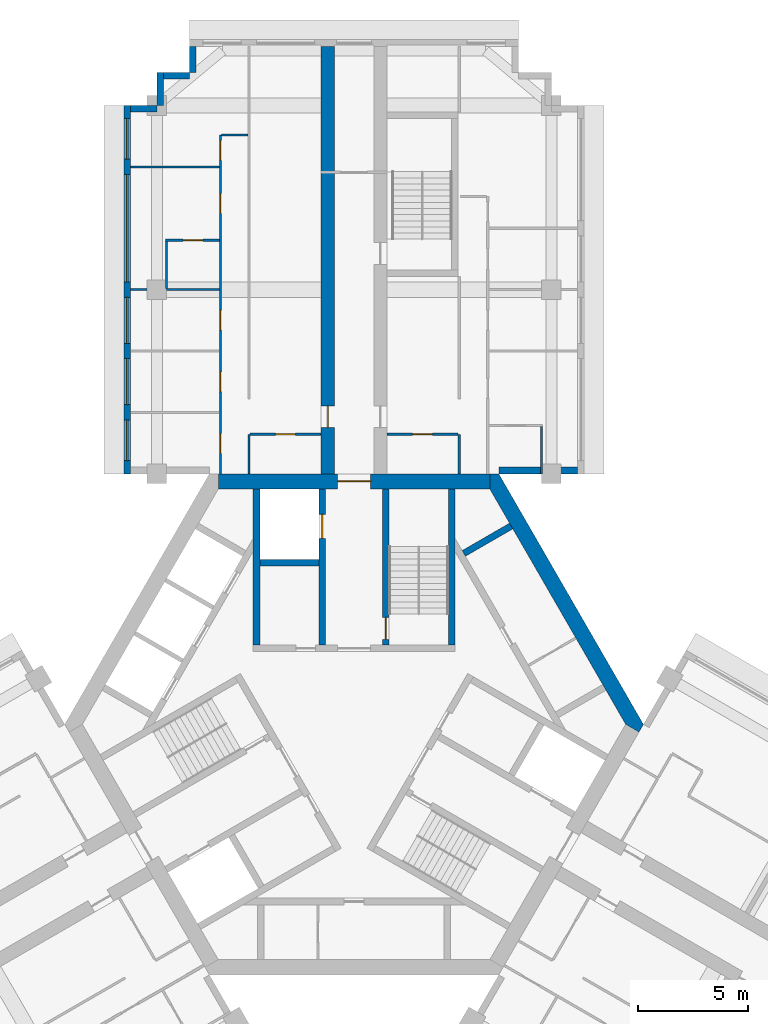
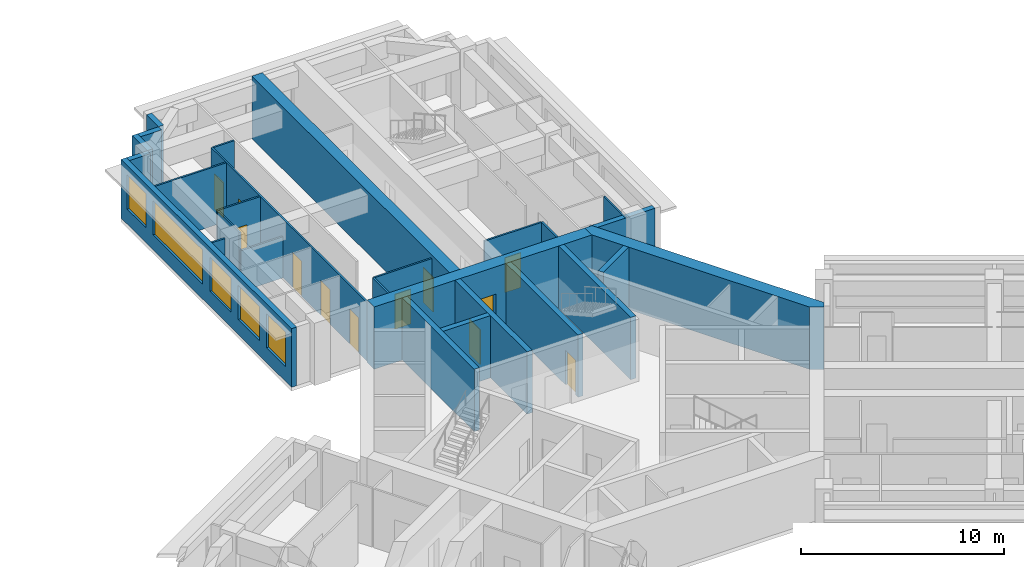
# One storey, part 7 of 10: 27 walls, 12 doors, 5 windows, 17 openings.
"""IFC4 building model written with IfcOpenShell, lengths in metres."""

from ifc_helpers import new_model, si_unit, direction, frame, frame_2d, origin, place, context, subcontext, project, spatial, polyline, rectangle, outline, extrude, material, layer, layer_set, type_object, element, fill, save


model = new_model("IFC4")

# Units and contexts
model_context = context("Model", 3, precision=1e-05, world=origin(), true_north=direction((0.0, 1.0)))
body_context = subcontext(model_context, "Body", "Model", "MODEL_VIEW")
ifc_project = project(units=[si_unit("LENGTHUNIT", "METRE"), si_unit("AREAUNIT", "SQUARE_METRE"), si_unit("VOLUMEUNIT", "CUBIC_METRE"), si_unit("PLANEANGLEUNIT", "RADIAN"), si_unit("MASSUNIT", "GRAM", prefix="KILO")], contexts=[model_context])

# Site, building, storey
site_placement = place(None, origin())
site = spatial("IfcSite", under=ifc_project, at=site_placement, CompositionType="ELEMENT")
building_placement = place(site_placement, origin())
building = spatial("IfcBuilding", under=site, at=building_placement, Name="Impinga Residences", CompositionType="ELEMENT")
storey_placement = place(building_placement, frame((0.0, 0.0, 192.25)))
storey = spatial("IfcBuildingStorey", under=building, at=storey_placement, Name="L47", CompositionType="ELEMENT", Elevation=192.25)

# Wall, opening, door
ifc_material_1 = material(Name="Concrete C60/75", Category="concrete")
ifc_layer_1 = layer(ifc_material_1, 0.60009765625)
ifc_layer_set_1 = layer_set([ifc_layer_1], Name="Concrete C60/75")
wall_type_1 = type_object("IfcWallType", Name="BW3 corridor buttress wall, L46 to L73 600", PredefinedType="SHEAR", material=ifc_layer_set_1)
wall_1_placement = place(storey_placement, frame((-1.199951171875, 11.08154296875, 0.0), z_axis=(0.0, 0.0, 1.0), x_axis=(0.0, 1.0, 0.0)))
wall_1 = element("IfcWall", 1, at=wall_1_placement, inside=storey, type_object=wall_type_1, Name="Corridor wall BW3 NC L47", PredefinedType="SHEAR", context=body_context, shape_type="SweptSolid", body=[
    extrude(rectangle(XDim=19.85009765625, YDim=0.60009765625, at=frame_2d((9.925048828125, 0.0))), origin(), (0.0, 0.0, 1.0), 3.75),
])
opening_1_placement = place(wall_1_placement, frame((2.449951171875, 0.0, 0.0)))
opening_1 = element("IfcOpeningElement", 2, at=opening_1_placement, cuts=wall_1, Name="Opening D1", PredefinedType="OPENING", context=body_context, shape_type="SweptSolid", body=[
    extrude(rectangle(XDim=1.0, YDim=2.10009765625, at=frame_2d((0.5, 1.050048828125))), frame((0.0, 0.31005859375, 0.0), z_axis=(0.0, -1.0, 0.0), x_axis=(1.0, 0.0, 0.0)), (0.0, 0.0, 1.0), 0.6201171875),
])
ifc_material_2 = material(Name="Timber door set", Category="wood")
door_type_1 = type_object("IfcDoorType", Name="D1 apartment entrance door 1000x2100", OperationType="SINGLE_SWING_LEFT", PredefinedType="DOOR", material=ifc_material_2)
door_1_placement = place(opening_1_placement, origin())
door_1 = element("IfcDoor", 3, at=door_1_placement, inside=storey, type_object=door_type_1, Name="Apartment L47-NA1 entrance", OperationType="SINGLE_SWING_LEFT", OverallHeight=2.10009765625, OverallWidth=1.0, PredefinedType="DOOR", context=body_context, shape_type="SweptSolid", body=[
    extrude(rectangle(XDim=1.0, YDim=2.10009765625, at=frame_2d((0.5, 1.050048828125))), frame((0.0, 0.02490234375, 0.0), z_axis=(0.0, -1.0, 0.0), x_axis=(1.0, 0.0, 0.0)), (0.0, 0.0, 1.0), 0.050048828125),
])
fill(opening_1, door_1)

# Wall, openings, windows
ifc_material_3 = material(Name="Terracotta rainscreen on blockwork", Category="masonry")
ifc_layer_2 = layer(ifc_material_3, 0.300048828125)
ifc_layer_set_2 = layer_set([ifc_layer_2], Name="EW1 external wall, terracotta rainscreen on blockwork 300")
wall_type_2 = type_object("IfcWallType", Name="EW1 external wall, terracotta rainscreen on blockwork 300", PredefinedType="SOLIDWALL", material=ifc_layer_set_2)
wall_2_placement = place(storey_placement, frame((-10.35009765625, 11.431640625, 0.0), z_axis=(0.0, 0.0, 1.0), x_axis=(0.0, 1.0, 0.0)))
wall_2 = element("IfcWall", 4, at=wall_2_placement, inside=storey, type_object=wall_type_2, Name="External wall EW1 L47", PredefinedType="SOLIDWALL", context=body_context, shape_type="SweptSolid", body=[
    extrude(rectangle(XDim=16.7998046875, YDim=0.300048828125, at=frame_2d((8.39990234375, 0.0))), origin(), (0.0, 0.0, 1.0), 3.530029296875),
])
opening_2_placement = place(wall_2_placement, frame((0.60009765625, 0.0, 0.89990234375)))
opening_2 = element("IfcOpeningElement", 5, at=opening_2_placement, cuts=wall_2, Name="Opening W15", PredefinedType="OPENING", context=body_context, shape_type="SweptSolid", body=[
    extrude(rectangle(XDim=1.85009765625, YDim=2.050048828125, at=frame_2d((0.925048828125, 1.02490234375))), frame((0.0, 0.159912109375, 0.0), z_axis=(0.0, -1.0, 0.0), x_axis=(1.0, 0.0, 0.0)), (0.0, 0.0, 1.0), 0.320068359375),
])
opening_3_placement = place(wall_2_placement, frame((3.14990234375, 0.0, 0.89990234375)))
opening_3 = element("IfcOpeningElement", 6, at=opening_3_placement, cuts=wall_2, Name="Opening W9", PredefinedType="OPENING", context=body_context, shape_type="SweptSolid", body=[
    extrude(rectangle(XDim=2.10009765625, YDim=2.050048828125, at=frame_2d((1.050048828125, 1.02490234375))), frame((0.0, 0.159912109375, 0.0), z_axis=(0.0, -1.0, 0.0), x_axis=(1.0, 0.0, 0.0)), (0.0, 0.0, 1.0), 0.320068359375),
])
opening_4_placement = place(wall_2_placement, frame((5.949951171875, 0.0, 0.89990234375)))
opening_4 = element("IfcOpeningElement", 7, at=opening_4_placement, cuts=wall_2, Name="Opening W9", PredefinedType="OPENING", context=body_context, shape_type="SweptSolid", body=[
    extrude(rectangle(XDim=2.10009765625, YDim=2.050048828125, at=frame_2d((1.050048828125, 1.02490234375))), frame((0.0, 0.159912109375, 0.0), z_axis=(0.0, -1.0, 0.0), x_axis=(1.0, 0.0, 0.0)), (0.0, 0.0, 1.0), 0.320068359375),
])
opening_5_placement = place(wall_2_placement, frame((8.75, 0.0, 0.89990234375)))
opening_5 = element("IfcOpeningElement", 8, at=opening_5_placement, cuts=wall_2, Name="Opening W16", PredefinedType="OPENING", context=body_context, shape_type="SweptSolid", body=[
    extrude(rectangle(XDim=4.89990234375, YDim=2.050048828125, at=frame_2d((2.449951171875, 1.02490234375))), frame((0.0, 0.159912109375, 0.0), z_axis=(0.0, -1.0, 0.0), x_axis=(1.0, 0.0, 0.0)), (0.0, 0.0, 1.0), 0.320068359375),
])
opening_6_placement = place(wall_2_placement, frame((14.35009765625, 0.0, 0.89990234375)))
opening_6 = element("IfcOpeningElement", 9, at=opening_6_placement, cuts=wall_2, Name="Opening W15", PredefinedType="OPENING", context=body_context, shape_type="SweptSolid", body=[
    extrude(rectangle(XDim=1.85009765625, YDim=2.050048828125, at=frame_2d((0.925048828125, 1.02490234375))), frame((0.0, 0.159912109375, 0.0), z_axis=(0.0, -1.0, 0.0), x_axis=(1.0, 0.0, 0.0)), (0.0, 0.0, 1.0), 0.320068359375),
])
ifc_material_4 = material(Name="Aluminium window, clear double glazing", Category="aluminium")
window_type_1 = type_object("IfcWindowType", Name="W15 ribbon window 1850x2050", PartitioningType="SINGLE_PANEL", PredefinedType="WINDOW", material=ifc_material_4)
window_1_placement = place(opening_2_placement, origin())
window_1 = element("IfcWindow", 10, at=window_1_placement, inside=storey, type_object=window_type_1, Name="Window L47", OverallHeight=2.050048828125, OverallWidth=1.85009765625, PartitioningType="SINGLE_PANEL", PredefinedType="WINDOW", context=body_context, shape_type="SweptSolid", body=[
    extrude(rectangle(XDim=1.85009765625, YDim=2.050048828125, at=frame_2d((0.925048828125, 1.02490234375))), frame((0.0, 0.030029296875, 0.0), z_axis=(0.0, -1.0, 0.0), x_axis=(1.0, 0.0, 0.0)), (0.0, 0.0, 1.0), 0.06005859375),
])
fill(opening_2, window_1)
window_2_placement = place(opening_6_placement, origin())
window_2 = element("IfcWindow", 11, at=window_2_placement, inside=storey, type_object=window_type_1, Name="Window L47", OverallHeight=2.050048828125, OverallWidth=1.85009765625, PartitioningType="SINGLE_PANEL", PredefinedType="WINDOW", context=body_context, shape_type="SweptSolid", body=[
    extrude(rectangle(XDim=1.85009765625, YDim=2.050048828125, at=frame_2d((0.925048828125, 1.02490234375))), frame((0.0, 0.030029296875, 0.0), z_axis=(0.0, -1.0, 0.0), x_axis=(1.0, 0.0, 0.0)), (0.0, 0.0, 1.0), 0.06005859375),
])
fill(opening_6, window_2)
window_type_2 = type_object("IfcWindowType", Name="W16 ribbon window 4900x2050", PartitioningType="SINGLE_PANEL", PredefinedType="WINDOW", material=ifc_material_4)
window_3_placement = place(opening_5_placement, origin())
window_3 = element("IfcWindow", 12, at=window_3_placement, inside=storey, type_object=window_type_2, Name="Window L47", OverallHeight=2.050048828125, OverallWidth=4.89990234375, PartitioningType="SINGLE_PANEL", PredefinedType="WINDOW", context=body_context, shape_type="SweptSolid", body=[
    extrude(rectangle(XDim=4.89990234375, YDim=2.050048828125, at=frame_2d((2.449951171875, 1.02490234375))), frame((0.0, 0.030029296875, 0.0), z_axis=(0.0, -1.0, 0.0), x_axis=(1.0, 0.0, 0.0)), (0.0, 0.0, 1.0), 0.06005859375),
])
fill(opening_5, window_3)
window_type_3 = type_object("IfcWindowType", Name="W9 ribbon window 2100x2050", PartitioningType="SINGLE_PANEL", PredefinedType="WINDOW", material=ifc_material_4)
window_4_placement = place(opening_3_placement, origin())
window_4 = element("IfcWindow", 13, at=window_4_placement, inside=storey, type_object=window_type_3, Name="Window L47", OverallHeight=2.050048828125, OverallWidth=2.10009765625, PartitioningType="SINGLE_PANEL", PredefinedType="WINDOW", context=body_context, shape_type="SweptSolid", body=[
    extrude(rectangle(XDim=2.10009765625, YDim=2.050048828125, at=frame_2d((1.050048828125, 1.02490234375))), frame((0.0, 0.030029296875, 0.0), z_axis=(0.0, -1.0, 0.0), x_axis=(1.0, 0.0, 0.0)), (0.0, 0.0, 1.0), 0.06005859375),
])
fill(opening_3, window_4)
window_5_placement = place(opening_4_placement, origin())
window_5 = element("IfcWindow", 14, at=window_5_placement, inside=storey, type_object=window_type_3, Name="Window L47", OverallHeight=2.050048828125, OverallWidth=2.10009765625, PartitioningType="SINGLE_PANEL", PredefinedType="WINDOW", context=body_context, shape_type="SweptSolid", body=[
    extrude(rectangle(XDim=2.10009765625, YDim=2.050048828125, at=frame_2d((1.050048828125, 1.02490234375))), frame((0.0, 0.030029296875, 0.0), z_axis=(0.0, -1.0, 0.0), x_axis=(1.0, 0.0, 0.0)), (0.0, 0.0, 1.0), 0.06005859375),
])
fill(opening_4, window_5)

# Walls
wall_3_placement = place(storey_placement, frame((-10.199951171875, 28.08154296875, 0.0), z_axis=(0.0, 0.0, 1.0), x_axis=(1.0, 0.0, 0.0)))
element("IfcWall", 15, at=wall_3_placement, inside=storey, type_object=wall_type_2, Name="External wall EW1 L47", PredefinedType="SOLIDWALL", context=body_context, shape_type="SweptSolid", body=[
    extrude(rectangle(XDim=1.199951171875, YDim=0.300048828125, at=frame_2d((0.60009765625, 0.0))), origin(), (0.0, 0.0, 1.0), 3.530029296875),
])
wall_4_placement = place(storey_placement, frame((-8.85009765625, 28.236572265625, 0.0), z_axis=(0.0, 0.0, 1.0), x_axis=(0.0, 1.0, 0.0)))
element("IfcWall", 16, at=wall_4_placement, inside=storey, type_object=wall_type_2, Name="External wall EW1 L47", PredefinedType="SOLIDWALL", context=body_context, shape_type="SweptSolid", body=[
    extrude(rectangle(XDim=1.494873046875, YDim=0.300048828125, at=frame_2d((0.74755859375, 0.0))), origin(), (0.0, 0.0, 1.0), 3.530029296875),
])
wall_5_placement = place(storey_placement, frame((-8.699951171875, 29.58154296875, 0.0), z_axis=(0.0, 0.0, 1.0), x_axis=(1.0, 0.0, 0.0)))
element("IfcWall", 17, at=wall_5_placement, inside=storey, type_object=wall_type_2, Name="External wall EW1 L47", PredefinedType="SOLIDWALL", context=body_context, shape_type="SweptSolid", body=[
    extrude(rectangle(XDim=1.199951171875, YDim=0.300048828125, at=frame_2d((0.60009765625, 0.0))), origin(), (0.0, 0.0, 1.0), 3.530029296875),
])
wall_6_placement = place(storey_placement, frame((-7.35009765625, 29.736572265625, 0.0), z_axis=(0.0, 0.0, 1.0), x_axis=(0.0, 1.0, 0.0)))
element("IfcWall", 18, at=wall_6_placement, inside=storey, type_object=wall_type_2, Name="External wall EW1 L47", PredefinedType="SOLIDWALL", context=body_context, shape_type="SweptSolid", body=[
    extrude(rectangle(XDim=1.195068359375, YDim=0.300048828125, at=frame_2d((0.59765625, 0.0))), origin(), (0.0, 0.0, 1.0), 3.530029296875),
])
wall_7_placement = place(storey_placement, frame((10.199951171875, 11.58154296875, 0.0), z_axis=(0.0, 0.0, 1.0), x_axis=(-1.0, 0.0, 0.0)))
element("IfcWall", 19, at=wall_7_placement, inside=storey, type_object=wall_type_2, Name="External wall EW1 L47", PredefinedType="SOLIDWALL", context=body_context, shape_type="SweptSolid", body=[
    extrude(rectangle(XDim=3.599853515625, YDim=0.300048828125, at=frame_2d((1.7998046875, 0.0))), origin(), (0.0, 0.0, 1.0), 3.530029296875),
])
ifc_material_5 = material(Name="Gypsum board on steel studs", Category="steel")
ifc_layer_3 = layer(ifc_material_5, 0.10009765625)
ifc_layer_set_3 = layer_set([ifc_layer_3], Name="Gypsum board on steel studs")
wall_type_3 = type_object("IfcWallType", Name="IP1 partition 100", PredefinedType="PARTITIONING", material=ifc_layer_set_3)
wall_8_placement = place(storey_placement, frame((-4.800048828125, 11.431640625, 0.0), z_axis=(0.0, 0.0, 1.0), x_axis=(0.0, 1.0, 0.0)))
element("IfcWall", 20, at=wall_8_placement, inside=storey, type_object=wall_type_3, Name="Partition L47-NA1:DIV0", PredefinedType="PARTITIONING", context=body_context, shape_type="SweptSolid", body=[
    extrude(rectangle(XDim=1.7998046875, YDim=0.10009765625, at=frame_2d((0.89990234375, 0.0))), origin(), (0.0, 0.0, 1.0), 3.530029296875),
])

# Wall, openings, doors
wall_9_placement = place(storey_placement, frame((-6.10009765625, 11.431640625, 0.0), z_axis=(0.0, 0.0, 1.0), x_axis=(0.0, 1.0, 0.0)))
wall_9 = element("IfcWall", 21, at=wall_9_placement, inside=storey, type_object=wall_type_3, Name="Partition L47-NA1:STRIP", PredefinedType="PARTITIONING", context=body_context, shape_type="SweptSolid", body=[
    extrude(rectangle(XDim=15.449951171875, YDim=0.10009765625, at=frame_2d((7.72509765625, 0.0))), origin(), (0.0, 0.0, 1.0), 3.530029296875),
])
opening_7_placement = place(wall_9_placement, frame((0.925048828125, 0.0, 0.0)))
opening_7 = element("IfcOpeningElement", 22, at=opening_7_placement, cuts=wall_9, Name="Opening D2", PredefinedType="OPENING", context=body_context, shape_type="SweptSolid", body=[
    extrude(rectangle(XDim=0.89990234375, YDim=2.10009765625, at=frame_2d((0.449951171875, 1.050048828125))), frame((0.0, 0.06005859375, 0.0), z_axis=(0.0, -1.0, 0.0), x_axis=(1.0, 0.0, 0.0)), (0.0, 0.0, 1.0), 0.1201171875),
])
opening_8_placement = place(wall_9_placement, frame((3.75, 0.0, 0.0)))
opening_8 = element("IfcOpeningElement", 23, at=opening_8_placement, cuts=wall_9, Name="Opening D2", PredefinedType="OPENING", context=body_context, shape_type="SweptSolid", body=[
    extrude(rectangle(XDim=0.89990234375, YDim=2.10009765625, at=frame_2d((0.449951171875, 1.050048828125))), frame((0.0, 0.06005859375, 0.0), z_axis=(0.0, -1.0, 0.0), x_axis=(1.0, 0.0, 0.0)), (0.0, 0.0, 1.0), 0.1201171875),
])
opening_9_placement = place(wall_9_placement, frame((6.550048828125, 0.0, 0.0)))
opening_9 = element("IfcOpeningElement", 24, at=opening_9_placement, cuts=wall_9, Name="Opening D2", PredefinedType="OPENING", context=body_context, shape_type="SweptSolid", body=[
    extrude(rectangle(XDim=0.89990234375, YDim=2.10009765625, at=frame_2d((0.449951171875, 1.050048828125))), frame((0.0, 0.06005859375, 0.0), z_axis=(0.0, -1.0, 0.0), x_axis=(1.0, 0.0, 0.0)), (0.0, 0.0, 1.0), 0.1201171875),
])
opening_10_placement = place(wall_9_placement, frame((11.875, 0.0, 0.0)))
opening_10 = element("IfcOpeningElement", 25, at=opening_10_placement, cuts=wall_9, Name="Opening D2", PredefinedType="OPENING", context=body_context, shape_type="SweptSolid", body=[
    extrude(rectangle(XDim=0.89990234375, YDim=2.10009765625, at=frame_2d((0.449951171875, 1.050048828125))), frame((0.0, 0.06005859375, 0.0), z_axis=(0.0, -1.0, 0.0), x_axis=(1.0, 0.0, 0.0)), (0.0, 0.0, 1.0), 0.1201171875),
])
opening_11_placement = place(wall_9_placement, frame((14.300048828125, 0.0, 0.0)))
opening_11 = element("IfcOpeningElement", 26, at=opening_11_placement, cuts=wall_9, Name="Opening D2", PredefinedType="OPENING", context=body_context, shape_type="SweptSolid", body=[
    extrude(rectangle(XDim=0.89990234375, YDim=2.10009765625, at=frame_2d((0.449951171875, 1.050048828125))), frame((0.0, 0.06005859375, 0.0), z_axis=(0.0, -1.0, 0.0), x_axis=(1.0, 0.0, 0.0)), (0.0, 0.0, 1.0), 0.1201171875),
])
door_type_2 = type_object("IfcDoorType", Name="D2 internal door 900x2100", OperationType="SINGLE_SWING_LEFT", PredefinedType="DOOR", material=ifc_material_2)
door_2_placement = place(opening_7_placement, origin())
door_2 = element("IfcDoor", 27, at=door_2_placement, inside=storey, type_object=door_type_2, Name="Apartment L47-NA1 room door", OperationType="SINGLE_SWING_LEFT", OverallHeight=2.10009765625, OverallWidth=0.89990234375, PredefinedType="DOOR", context=body_context, shape_type="SweptSolid", body=[
    extrude(rectangle(XDim=0.89990234375, YDim=2.10009765625, at=frame_2d((0.449951171875, 1.050048828125))), frame((0.0, 0.02490234375, 0.0), z_axis=(0.0, -1.0, 0.0), x_axis=(1.0, 0.0, 0.0)), (0.0, 0.0, 1.0), 0.050048828125),
])
fill(opening_7, door_2)
door_3_placement = place(opening_8_placement, origin())
door_3 = element("IfcDoor", 28, at=door_3_placement, inside=storey, type_object=door_type_2, Name="Apartment L47-NA1 room door", OperationType="SINGLE_SWING_LEFT", OverallHeight=2.10009765625, OverallWidth=0.89990234375, PredefinedType="DOOR", context=body_context, shape_type="SweptSolid", body=[
    extrude(rectangle(XDim=0.89990234375, YDim=2.10009765625, at=frame_2d((0.449951171875, 1.050048828125))), frame((0.0, 0.02490234375, 0.0), z_axis=(0.0, -1.0, 0.0), x_axis=(1.0, 0.0, 0.0)), (0.0, 0.0, 1.0), 0.050048828125),
])
fill(opening_8, door_3)
door_4_placement = place(opening_9_placement, origin())
door_4 = element("IfcDoor", 29, at=door_4_placement, inside=storey, type_object=door_type_2, Name="Apartment L47-NA1 room door", OperationType="SINGLE_SWING_LEFT", OverallHeight=2.10009765625, OverallWidth=0.89990234375, PredefinedType="DOOR", context=body_context, shape_type="SweptSolid", body=[
    extrude(rectangle(XDim=0.89990234375, YDim=2.10009765625, at=frame_2d((0.449951171875, 1.050048828125))), frame((0.0, 0.02490234375, 0.0), z_axis=(0.0, -1.0, 0.0), x_axis=(1.0, 0.0, 0.0)), (0.0, 0.0, 1.0), 0.050048828125),
])
fill(opening_9, door_4)
door_5_placement = place(opening_10_placement, origin())
door_5 = element("IfcDoor", 30, at=door_5_placement, inside=storey, type_object=door_type_2, Name="Apartment L47-NA1 room door", OperationType="SINGLE_SWING_RIGHT", OverallHeight=2.10009765625, OverallWidth=0.89990234375, PredefinedType="DOOR", context=body_context, shape_type="SweptSolid", body=[
    extrude(rectangle(XDim=0.89990234375, YDim=2.10009765625, at=frame_2d((0.449951171875, 1.050048828125))), frame((0.0, 0.02490234375, 0.0), z_axis=(0.0, -1.0, 0.0), x_axis=(1.0, 0.0, 0.0)), (0.0, 0.0, 1.0), 0.050048828125),
])
fill(opening_10, door_5)
door_6_placement = place(opening_11_placement, origin())
door_6 = element("IfcDoor", 31, at=door_6_placement, inside=storey, type_object=door_type_2, Name="Apartment L47-NA1 room door", OperationType="SINGLE_SWING_RIGHT", OverallHeight=2.10009765625, OverallWidth=0.89990234375, PredefinedType="DOOR", context=body_context, shape_type="SweptSolid", body=[
    extrude(rectangle(XDim=0.89990234375, YDim=2.10009765625, at=frame_2d((0.449951171875, 1.050048828125))), frame((0.0, 0.02490234375, 0.0), z_axis=(0.0, -1.0, 0.0), x_axis=(1.0, 0.0, 0.0)), (0.0, 0.0, 1.0), 0.050048828125),
])
fill(opening_11, door_6)

# Wall
wall_10_placement = place(storey_placement, frame((-4.85009765625, 26.881591796875, 0.0), z_axis=(0.0, 0.0, 1.0), x_axis=(-1.0, 0.0, 0.0)))
element("IfcWall", 32, at=wall_10_placement, inside=storey, type_object=wall_type_3, Name="Partition L47-NA1:SE1", PredefinedType="PARTITIONING", context=body_context, shape_type="SweptSolid", body=[
    extrude(rectangle(XDim=1.199951171875, YDim=0.10009765625, at=frame_2d((0.60009765625, 0.0))), origin(), (0.0, 0.0, 1.0), 3.530029296875),
])

# Wall, opening, door
wall_11_placement = place(storey_placement, frame((-1.5, 13.2314453125, 0.0), z_axis=(0.0, 0.0, 1.0), x_axis=(-1.0, 0.0, 0.0)))
wall_11 = element("IfcWall", 33, at=wall_11_placement, inside=storey, type_object=wall_type_3, Name="Partition L47-NA1:IB1", PredefinedType="PARTITIONING", context=body_context, shape_type="SweptSolid", body=[
    extrude(rectangle(XDim=3.25, YDim=0.10009765625, at=frame_2d((1.625, 0.0))), origin(), (0.0, 0.0, 1.0), 3.530029296875),
])
opening_12_placement = place(wall_11_placement, frame((1.175048828125, 0.0, 0.0)))
opening_12 = element("IfcOpeningElement", 34, at=opening_12_placement, cuts=wall_11, Name="Opening D2", PredefinedType="OPENING", context=body_context, shape_type="SweptSolid", body=[
    extrude(rectangle(XDim=0.89990234375, YDim=2.10009765625, at=frame_2d((0.449951171875, 1.050048828125))), frame((0.0, 0.06005859375, 0.0), z_axis=(0.0, -1.0, 0.0), x_axis=(1.0, 0.0, 0.0)), (0.0, 0.0, 1.0), 0.1201171875),
])
door_7_placement = place(opening_12_placement, origin())
door_7 = element("IfcDoor", 35, at=door_7_placement, inside=storey, type_object=door_type_2, Name="Apartment L47-NA1 bathroom door", OperationType="SINGLE_SWING_LEFT", OverallHeight=2.10009765625, OverallWidth=0.89990234375, PredefinedType="DOOR", context=body_context, shape_type="SweptSolid", body=[
    extrude(rectangle(XDim=0.89990234375, YDim=2.10009765625, at=frame_2d((0.449951171875, 1.050048828125))), frame((0.0, 0.02490234375, 0.0), z_axis=(0.0, -1.0, 0.0), x_axis=(1.0, 0.0, 0.0)), (0.0, 0.0, 1.0), 0.050048828125),
])
fill(opening_12, door_7)

# Walls
wall_12_placement = place(storey_placement, frame((-6.14990234375, 19.83154296875, 0.0), z_axis=(0.0, 0.0, 1.0), x_axis=(-1.0, 0.0, 0.0)))
element("IfcWall", 36, at=wall_12_placement, inside=storey, type_object=wall_type_3, Name="Partition L47-NA1:OB3", PredefinedType="PARTITIONING", context=body_context, shape_type="SweptSolid", body=[
    extrude(rectangle(XDim=2.400146484375, YDim=0.10009765625, at=frame_2d((1.2001953125, 0.0))), origin(), (0.0, 0.0, 1.0), 2.47998046875),
])
wall_13_placement = place(storey_placement, frame((-9.449951171875, 19.83154296875, 0.0), z_axis=(0.0, 0.0, 1.0), x_axis=(-1.0, 0.0, 0.0)))
element("IfcWall", 37, at=wall_13_placement, inside=storey, type_object=wall_type_3, Name="Partition L47-NA1:OB3b", PredefinedType="PARTITIONING", context=body_context, shape_type="SweptSolid", body=[
    extrude(rectangle(XDim=0.75, YDim=0.10009765625, at=frame_2d((0.375, 0.0))), origin(), (0.0, 0.0, 1.0), 3.530029296875),
])
wall_14_placement = place(storey_placement, frame((-6.14990234375, 25.431640625, 0.0), z_axis=(0.0, 0.0, 1.0), x_axis=(-1.0, 0.0, 0.0)))
element("IfcWall", 38, at=wall_14_placement, inside=storey, type_object=wall_type_3, Name="Partition L47-NA1:OB4", PredefinedType="PARTITIONING", context=body_context, shape_type="SweptSolid", body=[
    extrude(rectangle(XDim=4.050048828125, YDim=0.10009765625, at=frame_2d((2.02490234375, 0.0))), origin(), (0.0, 0.0, 1.0), 3.530029296875),
])

# Wall, opening, door
wall_15_placement = place(storey_placement, frame((-6.14990234375, 22.08154296875, 0.0), z_axis=(0.0, 0.0, 1.0), x_axis=(-1.0, 0.0, 0.0)))
wall_15 = element("IfcWall", 39, at=wall_15_placement, inside=storey, type_object=wall_type_3, Name="Partition L47-NA1:EN1", PredefinedType="PARTITIONING", context=body_context, shape_type="SweptSolid", body=[
    extrude(rectangle(XDim=2.4501953125, YDim=0.10009765625, at=frame_2d((1.22509765625, 0.0))), origin(), (0.0, 0.0, 1.0), 3.530029296875),
])
opening_13_placement = place(wall_15_placement, frame((0.75, 0.0, 0.0)))
opening_13 = element("IfcOpeningElement", 40, at=opening_13_placement, cuts=wall_15, Name="Opening D2", PredefinedType="OPENING", context=body_context, shape_type="SweptSolid", body=[
    extrude(rectangle(XDim=0.89990234375, YDim=2.10009765625, at=frame_2d((0.449951171875, 1.050048828125))), frame((0.0, 0.06005859375, 0.0), z_axis=(0.0, -1.0, 0.0), x_axis=(1.0, 0.0, 0.0)), (0.0, 0.0, 1.0), 0.1201171875),
])
door_8_placement = place(opening_13_placement, origin())
door_8 = element("IfcDoor", 41, at=door_8_placement, inside=storey, type_object=door_type_2, Name="Apartment L47-NA1 en-suite door", OperationType="SINGLE_SWING_LEFT", OverallHeight=2.10009765625, OverallWidth=0.89990234375, PredefinedType="DOOR", context=body_context, shape_type="SweptSolid", body=[
    extrude(rectangle(XDim=0.89990234375, YDim=2.10009765625, at=frame_2d((0.449951171875, 1.050048828125))), frame((0.0, 0.02490234375, 0.0), z_axis=(0.0, -1.0, 0.0), x_axis=(1.0, 0.0, 0.0)), (0.0, 0.0, 1.0), 0.050048828125),
])
fill(opening_13, door_8)

# Walls
wall_16_placement = place(storey_placement, frame((-8.550048828125, 19.881591796875, 0.0), z_axis=(0.0, 0.0, 1.0), x_axis=(0.0, 1.0, 0.0)))
element("IfcWall", 42, at=wall_16_placement, inside=storey, type_object=wall_type_3, Name="Partition L47-NA1:EN2", PredefinedType="PARTITIONING", context=body_context, shape_type="SweptSolid", body=[
    extrude(rectangle(XDim=2.14990234375, YDim=0.10009765625, at=frame_2d((1.074951171875, 0.0))), origin(), (0.0, 0.0, 1.0), 3.530029296875),
])
wall_17_placement = place(storey_placement, frame((4.800048828125, 11.431640625, 0.0), z_axis=(0.0, 0.0, 1.0), x_axis=(0.0, 1.0, 0.0)))
element("IfcWall", 43, at=wall_17_placement, inside=storey, type_object=wall_type_3, Name="Partition L47-NF1:DIV0", PredefinedType="PARTITIONING", context=body_context, shape_type="SweptSolid", body=[
    extrude(rectangle(XDim=1.7998046875, YDim=0.10009765625, at=frame_2d((0.89990234375, 0.0))), origin(), (0.0, 0.0, 1.0), 3.530029296875),
])

# Wall, opening, door
wall_18_placement = place(storey_placement, frame((1.5, 13.2314453125, 0.0), z_axis=(0.0, 0.0, 1.0), x_axis=(1.0, 0.0, 0.0)))
wall_18 = element("IfcWall", 44, at=wall_18_placement, inside=storey, type_object=wall_type_3, Name="Partition L47-NF1:IB1", PredefinedType="PARTITIONING", context=body_context, shape_type="SweptSolid", body=[
    extrude(rectangle(XDim=3.25, YDim=0.10009765625, at=frame_2d((1.625, 0.0))), origin(), (0.0, 0.0, 1.0), 3.530029296875),
])
opening_14_placement = place(wall_18_placement, frame((1.175048828125, 0.0, 0.0)))
opening_14 = element("IfcOpeningElement", 45, at=opening_14_placement, cuts=wall_18, Name="Opening D2", PredefinedType="OPENING", context=body_context, shape_type="SweptSolid", body=[
    extrude(rectangle(XDim=0.89990234375, YDim=2.10009765625, at=frame_2d((0.449951171875, 1.050048828125))), frame((0.0, 0.06005859375, 0.0), z_axis=(0.0, -1.0, 0.0), x_axis=(1.0, 0.0, 0.0)), (0.0, 0.0, 1.0), 0.1201171875),
])
door_9_placement = place(opening_14_placement, origin())
door_9 = element("IfcDoor", 46, at=door_9_placement, inside=storey, type_object=door_type_2, Name="Apartment L47-NF1 bathroom door", OperationType="SINGLE_SWING_LEFT", OverallHeight=2.10009765625, OverallWidth=0.89990234375, PredefinedType="DOOR", context=body_context, shape_type="SweptSolid", body=[
    extrude(rectangle(XDim=0.89990234375, YDim=2.10009765625, at=frame_2d((0.449951171875, 1.050048828125))), frame((0.0, 0.02490234375, 0.0), z_axis=(0.0, -1.0, 0.0), x_axis=(1.0, 0.0, 0.0)), (0.0, 0.0, 1.0), 0.050048828125),
])
fill(opening_14, door_9)

# Wall
wall_19_placement = place(storey_placement, frame((8.550048828125, 11.431640625, 0.0), z_axis=(0.0, 0.0, 1.0), x_axis=(0.0, 1.0, 0.0)))
element("IfcWall", 47, at=wall_19_placement, inside=storey, type_object=wall_type_3, Name="Partition L47-NF1:EN2", PredefinedType="PARTITIONING", context=body_context, shape_type="SweptSolid", body=[
    extrude(rectangle(XDim=2.14990234375, YDim=0.10009765625, at=frame_2d((1.074951171875, 0.0))), origin(), (0.0, 0.0, 1.0), 3.530029296875),
])

# Wall, opening, door
ifc_layer_4 = layer(ifc_material_1, 0.699951171875)
ifc_layer_set_4 = layer_set([ifc_layer_4], Name="Concrete C60/75")
wall_type_4 = type_object("IfcWallType", Name="SW3 core wall 700", PredefinedType="SHEAR", material=ifc_layer_set_4)
wall_20_placement = place(storey_placement, frame((-6.19580078125, 11.08154296875, 0.0), z_axis=(0.0, 0.0, 1.0), x_axis=(1.0, 0.0, 0.0)))
wall_20 = element("IfcWall", 48, at=wall_20_placement, inside=storey, type_object=wall_type_4, Name="Core wall SW3 N:FACE L47", PredefinedType="SHEAR", context=body_context, shape_type="SweptSolid", body=[
    extrude(rectangle(XDim=12.3916015625, YDim=0.699951171875, at=frame_2d((6.19580078125, 0.0))), origin(), (0.0, 0.0, 1.0), 3.75),
])
opening_15_placement = place(wall_20_placement, frame((5.44580078125, 0.0, 0.0)))
opening_15 = element("IfcOpeningElement", 49, at=opening_15_placement, cuts=wall_20, Name="Opening D4", PredefinedType="OPENING", context=body_context, shape_type="SweptSolid", body=[
    extrude(rectangle(XDim=1.5, YDim=2.10009765625, at=frame_2d((0.75, 1.050048828125))), frame((0.0, 0.35986328125, 0.0), z_axis=(0.0, -1.0, 0.0), x_axis=(1.0, 0.0, 0.0)), (0.0, 0.0, 1.0), 0.719970703125),
])
door_type_3 = type_object("IfcDoorType", Name="D4 lobby door pair 1500x2100", OperationType="DOUBLE_DOOR_DOUBLE_SWING", PredefinedType="DOOR", material=ifc_material_2)
door_10_placement = place(opening_15_placement, origin())
door_10 = element("IfcDoor", 50, at=door_10_placement, inside=storey, type_object=door_type_3, Name="Lobby door N", OperationType="DOUBLE_DOOR_DOUBLE_SWING", OverallHeight=2.10009765625, OverallWidth=1.5, PredefinedType="DOOR", context=body_context, shape_type="SweptSolid", body=[
    extrude(rectangle(XDim=1.5, YDim=2.10009765625, at=frame_2d((0.75, 1.050048828125))), frame((0.0, 0.02490234375, 0.0), z_axis=(0.0, -1.0, 0.0), x_axis=(1.0, 0.0, 0.0)), (0.0, 0.0, 1.0), 0.050048828125),
])
fill(opening_15, door_10)

# Wall
wall_21_placement = place(storey_placement, origin())
element("IfcWall", 51, at=wall_21_placement, inside=storey, type_object=wall_type_4, Name="Core wall SW3 W:EXPOSED L47", PredefinedType="SHEAR", context=body_context, shape_type="SweptSolid", body=[
    extrude(outline(polyline([(13.199951171875, 0.0), (6.60009765625, 11.431640625), (6.19580078125, 11.431640625), (6.19580078125, 10.7314453125), (12.3916015625, 0.0), (12.998046875, -0.35009765625), (13.199951171875, 0.0)])), origin(), (0.0, 0.0, 1.0), 3.75),
])

# Wall, opening, door
ifc_material_6 = material(Name="Concrete C70/85", Category="concrete")
ifc_layer_5 = layer(ifc_material_6, 0.300048828125)
ifc_layer_set_5 = layer_set([ifc_layer_5], Name="Concrete C70/85")
wall_type_5 = type_object("IfcWallType", Name="SW5 core inner wall, stairs, shafts and lobbies 300", PredefinedType="SHEAR", material=ifc_layer_set_5)
wall_22_placement = place(storey_placement, frame((1.449951171875, 3.6298828125, 0.0), z_axis=(0.0, 0.0, 1.0), x_axis=(0.0, 1.0, 0.0)))
wall_22 = element("IfcWall", 52, at=wall_22_placement, inside=storey, type_object=wall_type_5, Name="Core wall SW5 N:ST-IN L47", PredefinedType="SHEAR", context=body_context, shape_type="SweptSolid", body=[
    extrude(rectangle(XDim=7.1015625, YDim=0.300048828125, at=frame_2d((3.55078125, 0.0))), origin(), (0.0, 0.0, 1.0), 3.75),
])
opening_16_placement = place(wall_22_placement, frame((0.25, 0.0, 0.0)))
opening_16 = element("IfcOpeningElement", 53, at=opening_16_placement, cuts=wall_22, Name="Opening D5", PredefinedType="OPENING", context=body_context, shape_type="SweptSolid", body=[
    extrude(rectangle(XDim=1.0, YDim=2.10009765625, at=frame_2d((0.5, 1.050048828125))), frame((0.0, 0.159912109375, 0.0), z_axis=(0.0, -1.0, 0.0), x_axis=(1.0, 0.0, 0.0)), (0.0, 0.0, 1.0), 0.320068359375),
])
door_type_4 = type_object("IfcDoorType", Name="D5 stair door 1000x2100", OperationType="SINGLE_SWING_LEFT", PredefinedType="DOOR", material=ifc_material_2)
door_11_placement = place(opening_16_placement, origin())
door_11 = element("IfcDoor", 54, at=door_11_placement, inside=storey, type_object=door_type_4, Name="Stair door N", OperationType="SINGLE_SWING_LEFT", OverallHeight=2.10009765625, OverallWidth=1.0, PredefinedType="DOOR", context=body_context, shape_type="SweptSolid", body=[
    extrude(rectangle(XDim=1.0, YDim=2.10009765625, at=frame_2d((0.5, 1.050048828125))), frame((0.0, 0.02490234375, 0.0), z_axis=(0.0, -1.0, 0.0), x_axis=(1.0, 0.0, 0.0)), (0.0, 0.0, 1.0), 0.050048828125),
])
fill(opening_16, door_11)

# Wall
wall_23_placement = place(storey_placement, frame((4.449951171875, 3.6298828125, 0.0), z_axis=(0.0, 0.0, 1.0), x_axis=(0.0, 1.0, 0.0)))
element("IfcWall", 55, at=wall_23_placement, inside=storey, type_object=wall_type_5, Name="Core wall SW5 N:ST-OUT L47", PredefinedType="SHEAR", context=body_context, shape_type="SweptSolid", body=[
    extrude(rectangle(XDim=7.1015625, YDim=0.300048828125, at=frame_2d((3.55078125, 0.0))), origin(), (0.0, 0.0, 1.0), 3.75),
])

# Wall, opening, door
wall_24_placement = place(storey_placement, frame((-1.449951171875, 3.6298828125, 0.0), z_axis=(0.0, 0.0, 1.0), x_axis=(0.0, 1.0, 0.0)))
wall_24 = element("IfcWall", 56, at=wall_24_placement, inside=storey, type_object=wall_type_5, Name="Core wall SW5 N:FF-IN L47", PredefinedType="SHEAR", context=body_context, shape_type="SweptSolid", body=[
    extrude(rectangle(XDim=7.1015625, YDim=0.300048828125, at=frame_2d((3.55078125, 0.0))), origin(), (0.0, 0.0, 1.0), 3.75),
])
opening_17_placement = place(wall_24_placement, frame((4.85009765625, 0.0, 0.0)))
opening_17 = element("IfcOpeningElement", 57, at=opening_17_placement, cuts=wall_24, Name="Opening LD2", PredefinedType="OPENING", context=body_context, shape_type="SweptSolid", body=[
    extrude(rectangle(XDim=1.10009765625, YDim=2.10009765625, at=frame_2d((0.550048828125, 1.050048828125))), frame((0.0, 0.159912109375, 0.0), z_axis=(0.0, -1.0, 0.0), x_axis=(1.0, 0.0, 0.0)), (0.0, 0.0, 1.0), 0.320068359375),
])
ifc_material_7 = material(Name="Steel lift landing door", Category="steel")
door_type_5 = type_object("IfcDoorType", Name="LD2 firefighting lift landing door 1100x2100", OperationType="DOUBLE_DOOR_SLIDING", PredefinedType="DOOR", material=ifc_material_7)
door_12_placement = place(opening_17_placement, origin())
door_12 = element("IfcDoor", 58, at=door_12_placement, inside=storey, type_object=door_type_5, Name="Firefighting lift landing door F1", OperationType="DOUBLE_DOOR_SLIDING", OverallHeight=2.10009765625, OverallWidth=1.10009765625, PredefinedType="DOOR", context=body_context, shape_type="SweptSolid", body=[
    extrude(rectangle(XDim=1.10009765625, YDim=2.10009765625, at=frame_2d((0.550048828125, 1.050048828125))), frame((0.0, 0.02490234375, 0.0), z_axis=(0.0, -1.0, 0.0), x_axis=(1.0, 0.0, 0.0)), (0.0, 0.0, 1.0), 0.050048828125),
])
fill(opening_17, door_12)

# Walls
wall_25_placement = place(storey_placement, frame((-4.449951171875, 3.6298828125, 0.0), z_axis=(0.0, 0.0, 1.0), x_axis=(0.0, 1.0, 0.0)))
element("IfcWall", 59, at=wall_25_placement, inside=storey, type_object=wall_type_5, Name="Core wall SW5 N:FF-OUT L47", PredefinedType="SHEAR", context=body_context, shape_type="SweptSolid", body=[
    extrude(rectangle(XDim=7.1015625, YDim=0.300048828125, at=frame_2d((3.55078125, 0.0))), origin(), (0.0, 0.0, 1.0), 3.75),
])
wall_26_placement = place(storey_placement, frame((-4.300048828125, 7.3798828125, 0.0), z_axis=(0.0, 0.0, 1.0), x_axis=(1.0, 0.0, 0.0)))
element("IfcWall", 60, at=wall_26_placement, inside=storey, type_object=wall_type_5, Name="Core wall SW5 N:FF-RS L47", PredefinedType="SHEAR", context=body_context, shape_type="SweptSolid", body=[
    extrude(rectangle(XDim=2.699951171875, YDim=0.300048828125, at=frame_2d((1.35009765625, 0.0))), origin(), (0.0, 0.0, 1.0), 3.75),
])
wall_27_placement = place(storey_placement, frame((5.003662109375, 7.79638671875, 0.0), z_axis=(0.0, 0.0, 1.0), x_axis=(0.866022959057, 0.500004234368, 0.0)))
element("IfcWall", 61, at=wall_27_placement, inside=storey, type_object=wall_type_5, Name="Core wall SW5 W:BANK-L L47", PredefinedType="SHEAR", context=body_context, shape_type="SweptSolid", body=[
    extrude(rectangle(XDim=2.5, YDim=0.300048828125, at=frame_2d((1.25, 0.0))), origin(), (0.0, 0.0, 1.0), 3.75),
])

save(model, "model.ifc")
